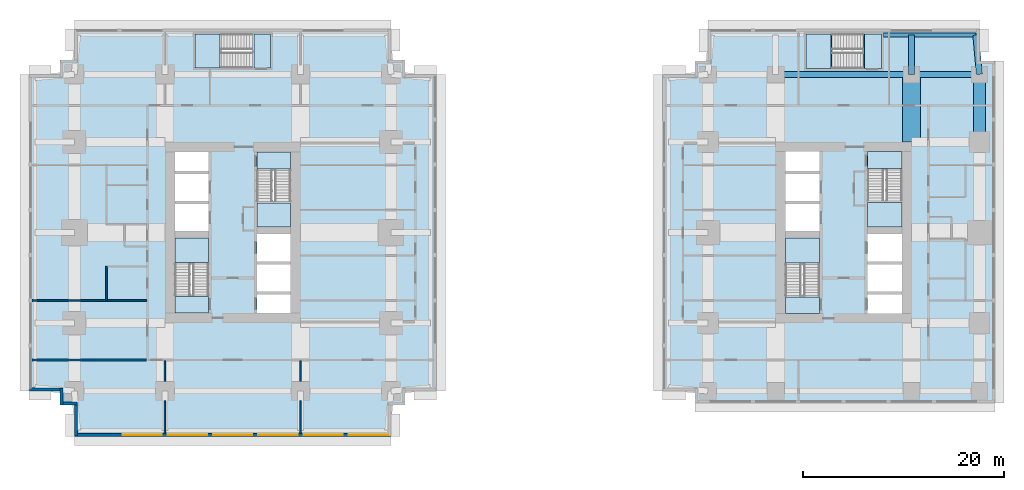
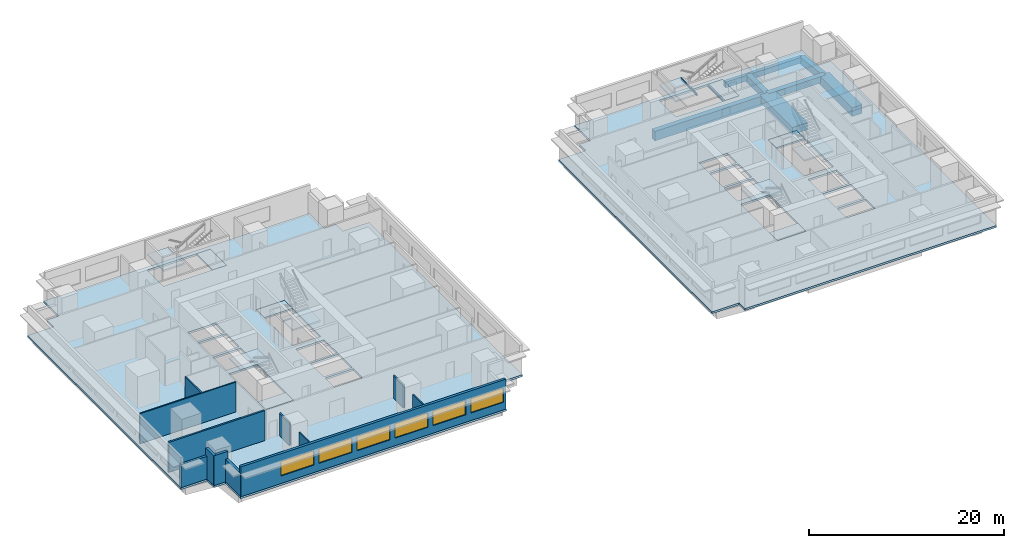
# One storey, part 2 of 11: 14 slabs, 12 walls, 9 beams, 6 windows, 6 openings, 6 elements without a shape of their own.
"""IFC4 building model written with IfcOpenShell, lengths in metres."""

from ifc_helpers import new_model, si_unit, direction, frame, frame_2d, origin, origin_2d, place, context, subcontext, project, spatial, polyline, rectangle, i_section, outline, extrude, material, layer, layer_set, material_profile, profile_set, type_object, element, fill, aggregate, save


model = new_model("IFC4")

# Units and contexts
model_context = context("Model", 3, precision=1e-05, world=origin(), true_north=direction((0.0, 1.0)))
body_context = subcontext(model_context, "Body", "Model", "MODEL_VIEW")
ifc_project = project(units=[si_unit("LENGTHUNIT", "METRE"), si_unit("AREAUNIT", "SQUARE_METRE"), si_unit("VOLUMEUNIT", "CUBIC_METRE"), si_unit("PLANEANGLEUNIT", "RADIAN"), si_unit("MASSUNIT", "GRAM", prefix="KILO")], contexts=[model_context])

# Site, building, storey
site_placement = place(None, origin())
site = spatial("IfcSite", under=ifc_project, at=site_placement, CompositionType="ELEMENT")
building_placement = place(site_placement, origin())
building = spatial("IfcBuilding", under=site, at=building_placement, Name="Namib Vertical Campus", CompositionType="ELEMENT")
storey_placement = place(building_placement, frame((0.0, 0.0, 89.0)))
storey = spatial("IfcBuildingStorey", under=building, at=storey_placement, Name="L20", CompositionType="ELEMENT", Elevation=89.0)

# Beams
ifc_material_1 = material(Name="Concrete C40/50", Category="concrete")
ifc_material_profile_1 = material_profile(ifc_material_1, rectangle(XDim=0.60009765625, YDim=0.89990234375, at=origin_2d()))
ifc_profile_set_1 = profile_set([ifc_material_profile_1], Name="Concrete C40/50")
beam_type_1 = type_object("IfcBeamType", Name="Cantilever girder RC 600x900", PredefinedType="BEAM", material=ifc_profile_set_1)
beam_1_placement = place(storey_placement, frame((87.75, 36.0, -0.699951171875), z_axis=(0.0, 1.0, 0.0), x_axis=(-1.0, 0.0, 0.0)))
element("IfcBeam", 1, at=beam_1_placement, inside=storey, type_object=beam_type_1, Name="Beam B3 L20", PredefinedType="BEAM", context=body_context, shape_type="SweptSolid", body=[
    extrude(rectangle(XDim=0.60009765625, YDim=0.89990234375, at=origin_2d()), origin(), (0.0, 0.0, 1.0), 3.89990234375),
])
beam_2_placement = place(storey_placement, frame((94.5, 36.0, -0.699951171875), z_axis=(-0.089411326146, 0.995994786511, 0.0), x_axis=(-0.995994786511, -0.089411326146, 0.0)))
element("IfcBeam", 2, at=beam_2_placement, inside=storey, type_object=beam_type_1, Name="Beam B3 L20", PredefinedType="BEAM", context=body_context, shape_type="SweptSolid", body=[
    extrude(rectangle(XDim=0.60009765625, YDim=0.89990234375, at=origin_2d()), origin(), (0.0, 0.0, 1.0), 3.91552734375),
])
ifc_material_2 = material(Name="Concrete C40/50", Category="concrete")
ifc_material_profile_2 = material_profile(ifc_material_2, rectangle(XDim=0.39990234375, YDim=0.699951171875, at=origin_2d()))
ifc_profile_set_2 = profile_set([ifc_material_profile_2], Name="Concrete C40/50")
beam_type_2 = type_object("IfcBeamType", Name="Edge beam RC 400x700", PredefinedType="SPANDREL", material=ifc_profile_set_2)
beam_3_placement = place(storey_placement, frame((84.949951171875, 39.89990234375, -0.60009765625), z_axis=(1.0, 0.0, 0.0), x_axis=(0.0, 1.0, 0.0)))
element("IfcBeam", 3, at=beam_3_placement, inside=storey, type_object=beam_type_2, Name="Beam B4 L20", PredefinedType="SPANDREL", context=body_context, shape_type="SweptSolid", body=[
    extrude(rectangle(XDim=0.39990234375, YDim=0.699951171875, at=origin_2d()), origin(), (0.0, 0.0, 1.0), 9.199951171875),
])
ifc_material_3 = material(Name="Concrete C40/50", Category="concrete")
ifc_material_profile_3 = material_profile(ifc_material_3, rectangle(XDim=1.199951171875, YDim=1.10009765625, at=origin_2d()))
ifc_profile_set_3 = profile_set([ifc_material_profile_3], Name="Concrete C40/50")
beam_type_3 = type_object("IfcBeamType", Name="Face ring beam RC 1200x1100", PredefinedType="BEAM", material=ifc_profile_set_3)
beam_4_placement = place(storey_placement, frame((94.5, 29.25, -0.800048828125), z_axis=(0.0, 1.0, 0.0), x_axis=(-1.0, 0.0, 0.0)))
element("IfcBeam", 4, at=beam_4_placement, inside=storey, type_object=beam_type_3, Name="Beam B11 L20", PredefinedType="BEAM", context=body_context, shape_type="SweptSolid", body=[
    extrude(rectangle(XDim=1.199951171875, YDim=1.10009765625, at=origin_2d()), origin(), (0.0, 0.0, 1.0), 6.75),
])
ifc_material_4 = material(Name="Steel S355JR", Category="steel")
ifc_material_profile_4 = material_profile(ifc_material_4, i_section(OverallWidth=0.14599609375, OverallDepth=0.25146484375, WebThickness=0.006103515625, FlangeThickness=0.008544921875, FilletRadius=0.007568359375, at=origin_2d()))
ifc_profile_set_4 = profile_set([ifc_material_profile_4], Name="Steel S355JR")
beam_type_4 = type_object("IfcBeamType", Name="Landing trimmer UB 254x146x31", PredefinedType="BEAM", material=ifc_profile_set_4)
for number, where, z_axis, x_axis, name in (
    (5, (83.02294921875, 36.60009765625, -0.125732421875), (0.0, 1.0, 0.0), (-1.0, 0.0, 0.0), "Landing trimmer LT1 B-S3 L20 1"),
    (6, (79.796875, 36.60009765625, 1.874267578125), (0.0, 1.0, 0.0), (-1.0, 0.0, 0.0), "Landing trimmer LT1 B-S3 L20 2"),
):
    element("IfcBeam", number, at=place(storey_placement, frame(where, z_axis=z_axis, x_axis=x_axis)), inside=storey, type_object=beam_type_4, Name=name, PredefinedType="BEAM", context=body_context, shape_type="SweptSolid", body=[
        extrude(i_section(OverallWidth=0.14599609375, OverallDepth=0.25146484375, WebThickness=0.006103515625, FlangeThickness=0.008544921875, FilletRadius=0.007568359375, at=origin_2d()), origin(), (0.0, 0.0, 1.0), 3.39990234375),
    ])
ifc_material_5 = material(Name="Concrete C40/50", Category="concrete")
ifc_material_profile_5 = material_profile(ifc_material_5, rectangle(XDim=0.60009765625, YDim=1.199951171875, at=origin_2d()))
ifc_profile_set_5 = profile_set([ifc_material_profile_5], Name="Concrete C40/50")
beam_type_5 = type_object("IfcBeamType", Name="Long-span ring beam RC 600x1200", PredefinedType="BEAM", material=ifc_profile_set_5)
beam_5_placement = place(storey_placement, frame((74.25, 36.0, -0.85009765625), z_axis=(1.0, 0.0, 0.0), x_axis=(0.0, 1.0, 0.0)))
element("IfcBeam", 7, at=beam_5_placement, inside=storey, type_object=beam_type_5, Name="Beam B9 L20", PredefinedType="BEAM", context=body_context, shape_type="SweptSolid", body=[
    extrude(rectangle(XDim=0.60009765625, YDim=1.199951171875, at=origin_2d()), origin(), (0.0, 0.0, 1.0), 13.5),
])
ifc_material_6 = material(Name="Concrete C40/50", Category="concrete")
ifc_material_profile_6 = material_profile(ifc_material_6, rectangle(XDim=1.800048828125, YDim=0.89990234375, at=origin_2d()))
ifc_profile_set_6 = profile_set([ifc_material_profile_6], Name="Concrete C40/50")
beam_type_6 = type_object("IfcBeamType", Name="Outrigger line girder RC 1800x900", PredefinedType="BEAM", material=ifc_profile_set_6)
beam_6_placement = place(storey_placement, frame((87.75, 36.0, -0.699951171875), z_axis=(0.0, -1.0, 0.0), x_axis=(1.0, 0.0, 0.0)))
element("IfcBeam", 8, at=beam_6_placement, inside=storey, type_object=beam_type_6, Name="Beam B12 L20", PredefinedType="BEAM", context=body_context, shape_type="SweptSolid", body=[
    extrude(rectangle(XDim=1.800048828125, YDim=0.89990234375, at=origin_2d()), origin(), (0.0, 0.0, 1.0), 6.75),
])
ifc_material_7 = material(Name="Concrete C40/50", Category="concrete")
ifc_material_profile_7 = material_profile(ifc_material_7, rectangle(XDim=0.60009765625, YDim=0.800048828125, at=origin_2d()))
ifc_profile_set_7 = profile_set([ifc_material_profile_7], Name="Concrete C40/50")
beam_type_7 = type_object("IfcBeamType", Name="Ring beam RC 600x800", PredefinedType="BEAM", material=ifc_profile_set_7)
beam_7_placement = place(storey_placement, frame((87.75, 36.0, -0.64990234375), z_axis=(1.0, 0.0, 0.0), x_axis=(0.0, 1.0, 0.0)))
element("IfcBeam", 9, at=beam_7_placement, inside=storey, type_object=beam_type_7, Name="Beam B1 L20", PredefinedType="BEAM", context=body_context, shape_type="SweptSolid", body=[
    extrude(rectangle(XDim=0.60009765625, YDim=0.800048828125, at=origin_2d()), origin(), (0.0, 0.0, 1.0), 6.75),
])

# Slabs
ifc_material_8 = material(Name="Concrete C40/50", Category="concrete")
ifc_layer_1 = layer(ifc_material_8, 0.25)
ifc_layer_set_1 = layer_set([ifc_layer_1], Name="Concrete C40/50")
slab_type_1 = type_object("IfcSlabType", Name="Floor slab 250", PredefinedType="FLOOR", material=ifc_layer_set_1)
slab_1_placement = place(storey_placement, frame((0.0, 0.0, -0.25)))
element("IfcSlab", 10, at=slab_1_placement, inside=storey, type_object=slab_type_1, Name="Floor slab A L20", PredefinedType="FLOOR", context=body_context, shape_type="SweptSolid", body=[
    extrude(outline(polyline([(4.5, 0.0), (36.0, 0.0), (36.0, 3.10009765625), (37.39990234375, 3.10009765625), (37.39990234375, 4.5), (40.5, 4.5), (40.5, 36.0), (37.39990234375, 36.0), (37.39990234375, 37.39990234375), (36.0, 37.39990234375), (36.0, 40.5), (4.5, 40.5), (4.5, 37.39990234375), (3.10009765625, 37.39990234375), (3.10009765625, 36.0), (0.0, 36.0), (0.0, 4.5), (3.10009765625, 4.5), (3.10009765625, 3.10009765625), (4.5, 3.10009765625), (4.5, 0.0)]), holes=[polyline([(14.5, 12.25), (17.85009765625, 12.25), (17.85009765625, 19.699951171875), (14.5, 19.699951171875), (14.5, 12.25)]), polyline([(22.64990234375, 20.800048828125), (26.0, 20.800048828125), (26.0, 28.25), (22.64990234375, 28.25), (22.64990234375, 20.800048828125)]), polyline([(22.64990234375, 12.25), (26.0, 12.25), (26.0, 14.10009765625), (22.64990234375, 14.10009765625), (22.64990234375, 12.25)]), polyline([(14.5, 20.39990234375), (17.85009765625, 20.39990234375), (17.85009765625, 23.10009765625), (14.5, 23.10009765625), (14.5, 20.39990234375)]), polyline([(14.5, 23.39990234375), (17.85009765625, 23.39990234375), (17.85009765625, 26.10009765625), (14.5, 26.10009765625), (14.5, 23.39990234375)]), polyline([(14.5, 26.39990234375), (17.85009765625, 26.39990234375), (17.85009765625, 28.25), (14.5, 28.25), (14.5, 26.39990234375)]), polyline([(22.64990234375, 14.39990234375), (26.0, 14.39990234375), (26.0, 17.10009765625), (22.64990234375, 17.10009765625), (22.64990234375, 14.39990234375)]), polyline([(22.64990234375, 17.39990234375), (26.0, 17.39990234375), (26.0, 20.10009765625), (22.64990234375, 20.10009765625), (22.64990234375, 17.39990234375)]), polyline([(16.5, 36.64990234375), (24.0, 36.64990234375), (24.0, 40.0), (16.5, 40.0), (16.5, 36.64990234375)])]), origin(), (0.0, 0.0, 1.0), 0.25),
])
slab_2_placement = place(storey_placement, frame((0.0, 0.0, -0.25)))
element("IfcSlab", 11, at=slab_2_placement, inside=storey, type_object=slab_type_1, Name="Floor slab B L20", PredefinedType="FLOOR", context=body_context, shape_type="SweptSolid", body=[
    extrude(outline(polyline([(63.0, 4.5), (66.199951171875, 4.5), (66.199951171875, 3.300048828125), (96.050048828125, 3.300048828125), (96.050048828125, 37.300048828125), (94.5, 37.300048828125), (94.5, 40.5), (67.5, 40.5), (67.5, 37.300048828125), (66.199951171875, 37.300048828125), (66.199951171875, 36.0), (63.0, 36.0), (63.0, 4.5)]), holes=[polyline([(75.199951171875, 12.199951171875), (78.60009765625, 12.199951171875), (78.60009765625, 19.699951171875), (75.199951171875, 19.699951171875), (75.199951171875, 12.199951171875)]), polyline([(83.39990234375, 20.800048828125), (86.800048828125, 20.800048828125), (86.800048828125, 28.300048828125), (83.39990234375, 28.300048828125), (83.39990234375, 20.800048828125)]), polyline([(83.39990234375, 12.199951171875), (86.800048828125, 12.199951171875), (86.800048828125, 14.10009765625), (83.39990234375, 14.10009765625), (83.39990234375, 12.199951171875)]), polyline([(75.199951171875, 20.39990234375), (78.60009765625, 20.39990234375), (78.60009765625, 23.10009765625), (75.199951171875, 23.10009765625), (75.199951171875, 20.39990234375)]), polyline([(75.199951171875, 23.39990234375), (78.60009765625, 23.39990234375), (78.60009765625, 26.10009765625), (75.199951171875, 26.10009765625), (75.199951171875, 23.39990234375)]), polyline([(75.199951171875, 26.39990234375), (78.60009765625, 26.39990234375), (78.60009765625, 28.300048828125), (75.199951171875, 28.300048828125), (75.199951171875, 26.39990234375)]), polyline([(83.39990234375, 14.39990234375), (86.800048828125, 14.39990234375), (86.800048828125, 17.10009765625), (83.39990234375, 17.10009765625), (83.39990234375, 14.39990234375)]), polyline([(83.39990234375, 17.39990234375), (86.800048828125, 17.39990234375), (86.800048828125, 20.10009765625), (83.39990234375, 20.10009765625), (83.39990234375, 17.39990234375)]), polyline([(77.25, 36.60009765625), (84.75, 36.60009765625), (84.75, 40.0), (77.25, 40.0), (77.25, 36.60009765625)])]), origin(), (0.0, 0.0, 1.0), 0.25),
])

# Stair, slabs
ifc_material_9 = material(Name="Concrete C40/50 precast", Category="concrete")
stair_type_1 = type_object("IfcStairType", Name="Exit stair 4000 rise 24 risers 3350 wide", PredefinedType="HALF_TURN_STAIR", material=ifc_material_9)
stair_1_placement = place(storey_placement, origin())
stair_1 = element("IfcStair", 12, at=stair_1_placement, inside=storey, type_object=stair_type_1, Name="Exit stair A-S1 L20", PredefinedType="HALF_TURN_STAIR")
ifc_material_10 = material(Name="Concrete C40/50", Category="concrete")
ifc_layer_2 = layer(ifc_material_10, 0.199951171875)
ifc_layer_set_2 = layer_set([ifc_layer_2], Name="Concrete C40/50")
slab_type_2 = type_object("IfcSlabType", Name="Stair landing 200", PredefinedType="LANDING", material=ifc_layer_set_2)
slab_3_placement = place(storey_placement, frame((0.0, 0.0, -0.199951171875)))
slab_3 = element("IfcSlab", 13, at=slab_3_placement, type_object=slab_type_2, Name="A-S1 landing 1", PredefinedType="LANDING", context=body_context, shape_type="SweptSolid", body=[
    extrude(outline(polyline([(14.5, 12.25), (17.85009765625, 12.25), (17.85009765625, 13.90380859375), (14.5, 13.90380859375), (14.5, 12.25)])), origin(), (0.0, 0.0, 1.0), 0.199951171875),
])
slab_4_placement = place(storey_placement, frame((0.0, 0.0, 1.800048828125)))
slab_4 = element("IfcSlab", 14, at=slab_4_placement, type_object=slab_type_2, Name="A-S1 landing 2", PredefinedType="LANDING", context=body_context, shape_type="SweptSolid", body=[
    extrude(outline(polyline([(14.5, 17.276123046875), (17.85009765625, 17.276123046875), (17.85009765625, 19.699951171875), (14.5, 19.699951171875), (14.5, 17.276123046875)])), origin(), (0.0, 0.0, 1.0), 0.199951171875),
])
aggregate(stair_1, [slab_3, slab_4])

stair_2_placement = place(storey_placement, origin())
stair_2 = element("IfcStair", 15, at=stair_2_placement, inside=storey, type_object=stair_type_1, Name="Exit stair A-S2 L20", PredefinedType="HALF_TURN_STAIR")
slab_5_placement = place(storey_placement, frame((0.0, 0.0, -0.199951171875)))
slab_5 = element("IfcSlab", 16, at=slab_5_placement, type_object=slab_type_2, Name="A-S2 landing 1", PredefinedType="LANDING", context=body_context, shape_type="SweptSolid", body=[
    extrude(outline(polyline([(22.64990234375, 26.59619140625), (26.0, 26.59619140625), (26.0, 28.25), (22.64990234375, 28.25), (22.64990234375, 26.59619140625)])), origin(), (0.0, 0.0, 1.0), 0.199951171875),
])
slab_6_placement = place(storey_placement, frame((0.0, 0.0, 1.800048828125)))
slab_6 = element("IfcSlab", 17, at=slab_6_placement, type_object=slab_type_2, Name="A-S2 landing 2", PredefinedType="LANDING", context=body_context, shape_type="SweptSolid", body=[
    extrude(outline(polyline([(22.64990234375, 20.800048828125), (26.0, 20.800048828125), (26.0, 23.223876953125), (22.64990234375, 23.223876953125), (22.64990234375, 20.800048828125)])), origin(), (0.0, 0.0, 1.0), 0.199951171875),
])
aggregate(stair_2, [slab_5, slab_6])

ifc_material_11 = material(Name="Concrete C40/50 precast", Category="concrete")
stair_type_2 = type_object("IfcStairType", Name="Exit stair 4000 rise 24 risers 3400 wide", PredefinedType="HALF_TURN_STAIR", material=ifc_material_11)
stair_3_placement = place(storey_placement, origin())
stair_3 = element("IfcStair", 18, at=stair_3_placement, inside=storey, type_object=stair_type_2, Name="Exit stair B-S1 L20", PredefinedType="HALF_TURN_STAIR")
slab_7_placement = place(storey_placement, frame((0.0, 0.0, -0.199951171875)))
slab_7 = element("IfcSlab", 19, at=slab_7_placement, type_object=slab_type_2, Name="B-S1 landing 1", PredefinedType="LANDING", context=body_context, shape_type="SweptSolid", body=[
    extrude(outline(polyline([(75.199951171875, 12.199951171875), (78.60009765625, 12.199951171875), (78.60009765625, 13.85400390625), (75.199951171875, 13.85400390625), (75.199951171875, 12.199951171875)])), origin(), (0.0, 0.0, 1.0), 0.199951171875),
])
slab_8_placement = place(storey_placement, frame((0.0, 0.0, 1.800048828125)))
slab_8 = element("IfcSlab", 20, at=slab_8_placement, type_object=slab_type_2, Name="B-S1 landing 2", PredefinedType="LANDING", context=body_context, shape_type="SweptSolid", body=[
    extrude(outline(polyline([(75.199951171875, 17.22607421875), (78.60009765625, 17.22607421875), (78.60009765625, 19.699951171875), (75.199951171875, 19.699951171875), (75.199951171875, 17.22607421875)])), origin(), (0.0, 0.0, 1.0), 0.199951171875),
])
aggregate(stair_3, [slab_7, slab_8])

stair_4_placement = place(storey_placement, origin())
stair_4 = element("IfcStair", 21, at=stair_4_placement, inside=storey, type_object=stair_type_2, Name="Exit stair B-S2 L20", PredefinedType="HALF_TURN_STAIR")
slab_9_placement = place(storey_placement, frame((0.0, 0.0, -0.199951171875)))
slab_9 = element("IfcSlab", 22, at=slab_9_placement, type_object=slab_type_2, Name="B-S2 landing 1", PredefinedType="LANDING", context=body_context, shape_type="SweptSolid", body=[
    extrude(outline(polyline([(83.39990234375, 26.64599609375), (86.800048828125, 26.64599609375), (86.800048828125, 28.300048828125), (83.39990234375, 28.300048828125), (83.39990234375, 26.64599609375)])), origin(), (0.0, 0.0, 1.0), 0.199951171875),
])
slab_10_placement = place(storey_placement, frame((0.0, 0.0, 1.800048828125)))
slab_10 = element("IfcSlab", 23, at=slab_10_placement, type_object=slab_type_2, Name="B-S2 landing 2", PredefinedType="LANDING", context=body_context, shape_type="SweptSolid", body=[
    extrude(outline(polyline([(83.39990234375, 20.800048828125), (86.800048828125, 20.800048828125), (86.800048828125, 23.27392578125), (83.39990234375, 23.27392578125), (83.39990234375, 20.800048828125)])), origin(), (0.0, 0.0, 1.0), 0.199951171875),
])
aggregate(stair_4, [slab_9, slab_10])

stair_5_placement = place(storey_placement, origin())
stair_5 = element("IfcStair", 24, at=stair_5_placement, inside=storey, type_object=stair_type_1, Name="Exit stair A-S3 L20", PredefinedType="HALF_TURN_STAIR")
slab_11_placement = place(storey_placement, frame((0.0, 0.0, -0.199951171875)))
slab_11 = element("IfcSlab", 25, at=slab_11_placement, type_object=slab_type_2, Name="A-S3 landing 1", PredefinedType="LANDING", context=body_context, shape_type="SweptSolid", body=[
    extrude(outline(polyline([(22.34619140625, 36.64990234375), (22.34619140625, 40.0), (24.0, 40.0), (24.0, 36.64990234375), (22.34619140625, 36.64990234375)])), origin(), (0.0, 0.0, 1.0), 0.199951171875),
])
slab_12_placement = place(storey_placement, frame((0.0, 0.0, 1.800048828125)))
slab_12 = element("IfcSlab", 26, at=slab_12_placement, type_object=slab_type_2, Name="A-S3 landing 2", PredefinedType="LANDING", context=body_context, shape_type="SweptSolid", body=[
    extrude(outline(polyline([(16.5, 36.64990234375), (16.5, 40.0), (18.973876953125, 40.0), (18.973876953125, 36.64990234375), (16.5, 36.64990234375)])), origin(), (0.0, 0.0, 1.0), 0.199951171875),
])
aggregate(stair_5, [slab_11, slab_12])

stair_6_placement = place(storey_placement, origin())
stair_6 = element("IfcStair", 27, at=stair_6_placement, inside=storey, type_object=stair_type_2, Name="Exit stair B-S3 L20", PredefinedType="HALF_TURN_STAIR")
slab_13_placement = place(storey_placement, frame((0.0, 0.0, -0.199951171875)))
slab_13 = element("IfcSlab", 28, at=slab_13_placement, type_object=slab_type_2, Name="B-S3 landing 1", PredefinedType="LANDING", context=body_context, shape_type="SweptSolid", body=[
    extrude(outline(polyline([(83.09619140625, 36.60009765625), (83.09619140625, 40.0), (84.75, 40.0), (84.75, 36.60009765625), (83.09619140625, 36.60009765625)])), origin(), (0.0, 0.0, 1.0), 0.199951171875),
])
slab_14_placement = place(storey_placement, frame((0.0, 0.0, 1.800048828125)))
slab_14 = element("IfcSlab", 29, at=slab_14_placement, type_object=slab_type_2, Name="B-S3 landing 2", PredefinedType="LANDING", context=body_context, shape_type="SweptSolid", body=[
    extrude(outline(polyline([(77.25, 36.60009765625), (77.25, 40.0), (79.723876953125, 40.0), (79.723876953125, 36.60009765625), (77.25, 36.60009765625)])), origin(), (0.0, 0.0, 1.0), 0.199951171875),
])
aggregate(stair_6, [slab_13, slab_14])

# Wall
ifc_material_12 = material(Name="Concrete masonry", Category="masonry")
ifc_layer_3 = layer(ifc_material_12, 0.199951171875)
ifc_layer_set_3 = layer_set([ifc_layer_3], Name="Corridor wall 200")
wall_type_1 = type_object("IfcWallType", Name="Corridor wall 200", PredefinedType="SOLIDWALL", material=ifc_layer_set_3)
wall_1_placement = place(storey_placement, frame((0.300048828125, 7.60009765625, 0.0), z_axis=(0.0, 0.0, 1.0), x_axis=(1.0, 0.0, 0.0)))
element("IfcWall", 30, at=wall_1_placement, inside=storey, type_object=wall_type_1, Name="Partition A L20 BSW", PredefinedType="SOLIDWALL", context=body_context, shape_type="SweptSolid", body=[
    extrude(rectangle(XDim=11.39990234375, YDim=0.199951171875, at=frame_2d((5.699951171875, 0.0))), origin(), (0.0, 0.0, 1.0), 3.75),
])

# Wall, openings, windows
ifc_material_13 = material(Name="Concrete C40/50", Category="concrete")
ifc_layer_4 = layer(ifc_material_13, 0.300048828125)
ifc_layer_set_4 = layer_set([ifc_layer_4], Name="Concrete C40/50")
wall_type_2 = type_object("IfcWallType", Name="External wall 300 board-marked concrete", PredefinedType="STANDARD", material=ifc_layer_set_4)
wall_2_placement = place(storey_placement, frame((4.52001953125, 0.14990234375, 0.0), z_axis=(0.0, 0.0, 1.0), x_axis=(1.0, 0.0, 0.0)))
wall_2 = element("IfcWall", 31, at=wall_2_placement, inside=storey, type_object=wall_type_2, Name="External wall L20 F01", PredefinedType="STANDARD", context=body_context, shape_type="SweptSolid", body=[
    extrude(rectangle(XDim=31.4599609375, YDim=0.300048828125, at=frame_2d((15.72998046875, 0.0))), origin(), (0.0, 0.0, 1.0), 3.75),
])
opening_1_placement = place(wall_2_placement, frame((4.780029296875, 0.0, 0.949951171875)))
opening_1 = element("IfcOpeningElement", 32, at=opening_1_placement, cuts=wall_2, Name="Opening W3", PredefinedType="OPENING", context=body_context, shape_type="SweptSolid", body=[
    extrude(rectangle(XDim=3.89990234375, YDim=1.800048828125, at=frame_2d((1.949951171875, 0.89990234375))), frame((0.0, 0.159912109375, 0.0), z_axis=(0.0, -1.0, 0.0), x_axis=(1.0, 0.0, 0.0)), (0.0, 0.0, 1.0), 0.320068359375),
])
opening_2_placement = place(wall_2_placement, frame((9.280029296875, 0.0, 0.949951171875)))
opening_2 = element("IfcOpeningElement", 33, at=opening_2_placement, cuts=wall_2, Name="Opening W3", PredefinedType="OPENING", context=body_context, shape_type="SweptSolid", body=[
    extrude(rectangle(XDim=3.89990234375, YDim=1.800048828125, at=frame_2d((1.949951171875, 0.89990234375))), frame((0.0, 0.159912109375, 0.0), z_axis=(0.0, -1.0, 0.0), x_axis=(1.0, 0.0, 0.0)), (0.0, 0.0, 1.0), 0.320068359375),
])
opening_3_placement = place(wall_2_placement, frame((13.780029296875, 0.0, 0.949951171875)))
opening_3 = element("IfcOpeningElement", 34, at=opening_3_placement, cuts=wall_2, Name="Opening W3", PredefinedType="OPENING", context=body_context, shape_type="SweptSolid", body=[
    extrude(rectangle(XDim=3.89990234375, YDim=1.800048828125, at=frame_2d((1.949951171875, 0.89990234375))), frame((0.0, 0.159912109375, 0.0), z_axis=(0.0, -1.0, 0.0), x_axis=(1.0, 0.0, 0.0)), (0.0, 0.0, 1.0), 0.320068359375),
])
opening_4_placement = place(wall_2_placement, frame((18.280029296875, 0.0, 0.949951171875)))
opening_4 = element("IfcOpeningElement", 35, at=opening_4_placement, cuts=wall_2, Name="Opening W3", PredefinedType="OPENING", context=body_context, shape_type="SweptSolid", body=[
    extrude(rectangle(XDim=3.89990234375, YDim=1.800048828125, at=frame_2d((1.949951171875, 0.89990234375))), frame((0.0, 0.159912109375, 0.0), z_axis=(0.0, -1.0, 0.0), x_axis=(1.0, 0.0, 0.0)), (0.0, 0.0, 1.0), 0.320068359375),
])
opening_5_placement = place(wall_2_placement, frame((22.780029296875, 0.0, 0.949951171875)))
opening_5 = element("IfcOpeningElement", 36, at=opening_5_placement, cuts=wall_2, Name="Opening W3", PredefinedType="OPENING", context=body_context, shape_type="SweptSolid", body=[
    extrude(rectangle(XDim=3.89990234375, YDim=1.800048828125, at=frame_2d((1.949951171875, 0.89990234375))), frame((0.0, 0.159912109375, 0.0), z_axis=(0.0, -1.0, 0.0), x_axis=(1.0, 0.0, 0.0)), (0.0, 0.0, 1.0), 0.320068359375),
])
opening_6_placement = place(wall_2_placement, frame((27.280029296875, 0.0, 0.949951171875)))
opening_6 = element("IfcOpeningElement", 37, at=opening_6_placement, cuts=wall_2, Name="Opening W3", PredefinedType="OPENING", context=body_context, shape_type="SweptSolid", body=[
    extrude(rectangle(XDim=3.89990234375, YDim=1.800048828125, at=frame_2d((1.949951171875, 0.89990234375))), frame((0.0, 0.159912109375, 0.0), z_axis=(0.0, -1.0, 0.0), x_axis=(1.0, 0.0, 0.0)), (0.0, 0.0, 1.0), 0.320068359375),
])
ifc_material_14 = material(Name="Dark tinted glass in black aluminium frame", Category="aluminium")
window_type = type_object("IfcWindowType", Name="Ribbon window 3900x1800", PartitioningType="SINGLE_PANEL", PredefinedType="WINDOW", material=ifc_material_14)
window_1_placement = place(opening_1_placement, origin())
window_1 = element("IfcWindow", 38, at=window_1_placement, inside=storey, type_object=window_type, Name="Window W3 L20 F01-2", OverallHeight=1.800048828125, OverallWidth=3.89990234375, PartitioningType="SINGLE_PANEL", PredefinedType="WINDOW", context=body_context, shape_type="SweptSolid", body=[
    extrude(rectangle(XDim=3.89990234375, YDim=1.800048828125, at=frame_2d((1.949951171875, 0.89990234375))), frame((0.0, 0.030029296875, 0.0), z_axis=(0.0, -1.0, 0.0), x_axis=(1.0, 0.0, 0.0)), (0.0, 0.0, 1.0), 0.06005859375),
])
fill(opening_1, window_1)
window_2_placement = place(opening_2_placement, origin())
window_2 = element("IfcWindow", 39, at=window_2_placement, inside=storey, type_object=window_type, Name="Window W3 L20 F01-3", OverallHeight=1.800048828125, OverallWidth=3.89990234375, PartitioningType="SINGLE_PANEL", PredefinedType="WINDOW", context=body_context, shape_type="SweptSolid", body=[
    extrude(rectangle(XDim=3.89990234375, YDim=1.800048828125, at=frame_2d((1.949951171875, 0.89990234375))), frame((0.0, 0.030029296875, 0.0), z_axis=(0.0, -1.0, 0.0), x_axis=(1.0, 0.0, 0.0)), (0.0, 0.0, 1.0), 0.06005859375),
])
fill(opening_2, window_2)
window_3_placement = place(opening_3_placement, origin())
window_3 = element("IfcWindow", 40, at=window_3_placement, inside=storey, type_object=window_type, Name="Window W3 L20 F01-4", OverallHeight=1.800048828125, OverallWidth=3.89990234375, PartitioningType="SINGLE_PANEL", PredefinedType="WINDOW", context=body_context, shape_type="SweptSolid", body=[
    extrude(rectangle(XDim=3.89990234375, YDim=1.800048828125, at=frame_2d((1.949951171875, 0.89990234375))), frame((0.0, 0.030029296875, 0.0), z_axis=(0.0, -1.0, 0.0), x_axis=(1.0, 0.0, 0.0)), (0.0, 0.0, 1.0), 0.06005859375),
])
fill(opening_3, window_3)
window_4_placement = place(opening_4_placement, origin())
window_4 = element("IfcWindow", 41, at=window_4_placement, inside=storey, type_object=window_type, Name="Window W3 L20 F01-5", OverallHeight=1.800048828125, OverallWidth=3.89990234375, PartitioningType="SINGLE_PANEL", PredefinedType="WINDOW", context=body_context, shape_type="SweptSolid", body=[
    extrude(rectangle(XDim=3.89990234375, YDim=1.800048828125, at=frame_2d((1.949951171875, 0.89990234375))), frame((0.0, 0.030029296875, 0.0), z_axis=(0.0, -1.0, 0.0), x_axis=(1.0, 0.0, 0.0)), (0.0, 0.0, 1.0), 0.06005859375),
])
fill(opening_4, window_4)
window_5_placement = place(opening_5_placement, origin())
window_5 = element("IfcWindow", 42, at=window_5_placement, inside=storey, type_object=window_type, Name="Window W3 L20 F01-6", OverallHeight=1.800048828125, OverallWidth=3.89990234375, PartitioningType="SINGLE_PANEL", PredefinedType="WINDOW", context=body_context, shape_type="SweptSolid", body=[
    extrude(rectangle(XDim=3.89990234375, YDim=1.800048828125, at=frame_2d((1.949951171875, 0.89990234375))), frame((0.0, 0.030029296875, 0.0), z_axis=(0.0, -1.0, 0.0), x_axis=(1.0, 0.0, 0.0)), (0.0, 0.0, 1.0), 0.06005859375),
])
fill(opening_5, window_5)
window_6_placement = place(opening_6_placement, origin())
window_6 = element("IfcWindow", 43, at=window_6_placement, inside=storey, type_object=window_type, Name="Window W3 L20 F01-7", OverallHeight=1.800048828125, OverallWidth=3.89990234375, PartitioningType="SINGLE_PANEL", PredefinedType="WINDOW", context=body_context, shape_type="SweptSolid", body=[
    extrude(rectangle(XDim=3.89990234375, YDim=1.800048828125, at=frame_2d((1.949951171875, 0.89990234375))), frame((0.0, 0.030029296875, 0.0), z_axis=(0.0, -1.0, 0.0), x_axis=(1.0, 0.0, 0.0)), (0.0, 0.0, 1.0), 0.06005859375),
])
fill(opening_6, window_6)

# Walls
wall_3_placement = place(storey_placement, frame((0.02001953125, 4.64990234375, 0.0), z_axis=(0.0, 0.0, 1.0), x_axis=(1.0, 0.0, 0.0)))
element("IfcWall", 44, at=wall_3_placement, inside=storey, type_object=wall_type_2, Name="External wall L20 F17", PredefinedType="STANDARD", context=body_context, shape_type="SweptSolid", body=[
    extrude(rectangle(XDim=3.35986328125, YDim=0.300048828125, at=frame_2d((1.679931640625, 0.0))), origin(), (0.0, 0.0, 1.0), 2.85009765625),
])
for number, where, z_axis, x_axis, name in (
    (45, (3.25, 4.780029296875, 0.0), (0.0, 0.0, 1.0), (0.0, -1.0, 0.0), "External wall L20 F18"),
    (46, (3.1201171875, 3.25, 0.0), (0.0, 0.0, 1.0), (1.0, 0.0, 0.0), "External wall L20 F19"),
):
    element("IfcWall", number, at=place(storey_placement, frame(where, z_axis=z_axis, x_axis=x_axis)), inside=storey, type_object=wall_type_2, Name=name, PredefinedType="STANDARD", context=body_context, shape_type="SweptSolid", body=[
        extrude(rectangle(XDim=1.659912109375, YDim=0.300048828125, at=frame_2d((0.830078125, 0.0))), origin(), (0.0, 0.0, 1.0), 3.75),
    ])
wall_4_placement = place(storey_placement, frame((4.64990234375, 3.3798828125, 0.0), z_axis=(0.0, 0.0, 1.0), x_axis=(0.0, -1.0, 0.0)))
element("IfcWall", 47, at=wall_4_placement, inside=storey, type_object=wall_type_2, Name="External wall L20 F20", PredefinedType="STANDARD", context=body_context, shape_type="SweptSolid", body=[
    extrude(rectangle(XDim=3.35986328125, YDim=0.300048828125, at=frame_2d((1.679931640625, 0.0))), origin(), (0.0, 0.0, 1.0), 2.85009765625),
])
ifc_material_15 = material(Name="Gypsum board on steel studs", Category="steel")
ifc_layer_5 = layer(ifc_material_15, 0.14990234375)
ifc_layer_set_5 = layer_set([ifc_layer_5], Name="Gypsum board on steel studs")
wall_type_3 = type_object("IfcWallType", Name="Partition 150", PredefinedType="PARTITIONING", material=ifc_layer_set_5)
wall_5_placement = place(storey_placement, frame((13.5, 0.300048828125, 0.0), z_axis=(0.0, 0.0, 1.0), x_axis=(0.0, 1.0, 0.0)))
element("IfcWall", 48, at=wall_5_placement, inside=storey, type_object=wall_type_3, Name="Partition A L20 PS1", PredefinedType="PARTITIONING", context=body_context, shape_type="SweptSolid", body=[
    extrude(rectangle(XDim=3.22998046875, YDim=0.14990234375, at=frame_2d((1.614990234375, 0.0))), origin(), (0.0, 0.0, 1.0), 2.85009765625),
])
wall_6_placement = place(storey_placement, frame((13.5, 5.469970703125, 0.0), z_axis=(0.0, 0.0, 1.0), x_axis=(0.0, 1.0, 0.0)))
element("IfcWall", 49, at=wall_6_placement, inside=storey, type_object=wall_type_3, Name="Partition A L20 PS1", PredefinedType="PARTITIONING", context=body_context, shape_type="SweptSolid", body=[
    extrude(rectangle(XDim=2.030029296875, YDim=0.14990234375, at=frame_2d((1.01513671875, 0.0))), origin(), (0.0, 0.0, 1.0), 2.85009765625),
])
wall_7_placement = place(storey_placement, frame((27.0, 0.300048828125, 0.0), z_axis=(0.0, 0.0, 1.0), x_axis=(0.0, 1.0, 0.0)))
element("IfcWall", 50, at=wall_7_placement, inside=storey, type_object=wall_type_3, Name="Partition A L20 PS2", PredefinedType="PARTITIONING", context=body_context, shape_type="SweptSolid", body=[
    extrude(rectangle(XDim=3.22998046875, YDim=0.14990234375, at=frame_2d((1.614990234375, 0.0))), origin(), (0.0, 0.0, 1.0), 2.85009765625),
])
wall_8_placement = place(storey_placement, frame((27.0, 5.469970703125, 0.0), z_axis=(0.0, 0.0, 1.0), x_axis=(0.0, 1.0, 0.0)))
element("IfcWall", 51, at=wall_8_placement, inside=storey, type_object=wall_type_3, Name="Partition A L20 PS2", PredefinedType="PARTITIONING", context=body_context, shape_type="SweptSolid", body=[
    extrude(rectangle(XDim=2.030029296875, YDim=0.14990234375, at=frame_2d((1.01513671875, 0.0))), origin(), (0.0, 0.0, 1.0), 2.85009765625),
])
wall_9_placement = place(storey_placement, frame((0.300048828125, 13.5, 0.0), z_axis=(0.0, 0.0, 1.0), x_axis=(1.0, 0.0, 0.0)))
element("IfcWall", 52, at=wall_9_placement, inside=storey, type_object=wall_type_3, Name="Partition A L20 PW1", PredefinedType="PARTITIONING", context=body_context, shape_type="SweptSolid", body=[
    extrude(rectangle(XDim=11.39990234375, YDim=0.14990234375, at=frame_2d((5.699951171875, 0.0))), origin(), (0.0, 0.0, 1.0), 3.75),
])
wall_10_placement = place(storey_placement, frame((7.699951171875, 13.5, 0.0), z_axis=(0.0, 0.0, 1.0), x_axis=(0.0, 1.0, 0.0)))
element("IfcWall", 53, at=wall_10_placement, inside=storey, type_object=wall_type_3, Name="Partition A L20 WB1", PredefinedType="PARTITIONING", context=body_context, shape_type="SweptSolid", body=[
    extrude(rectangle(XDim=3.39990234375, YDim=0.14990234375, at=frame_2d((1.699951171875, 0.0))), origin(), (0.0, 0.0, 1.0), 3.75),
])

save(model, "model.ifc")
